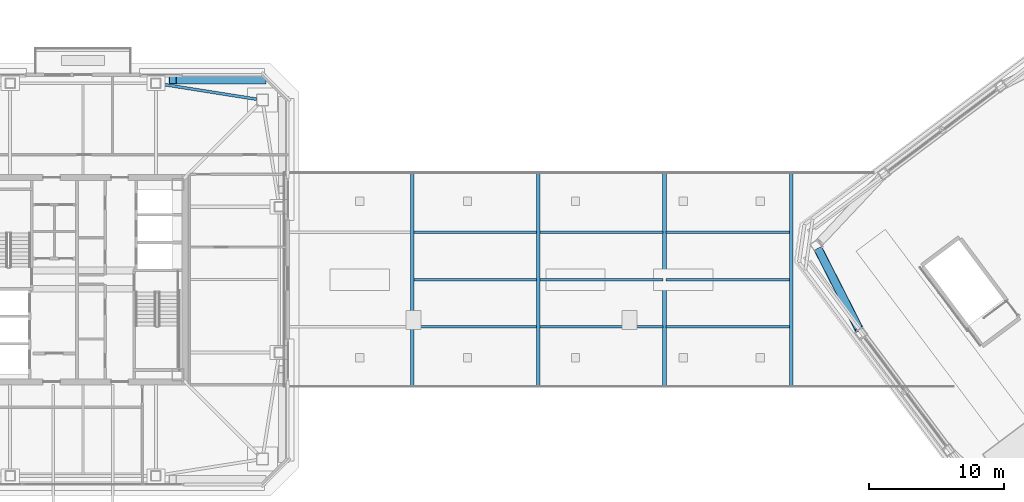
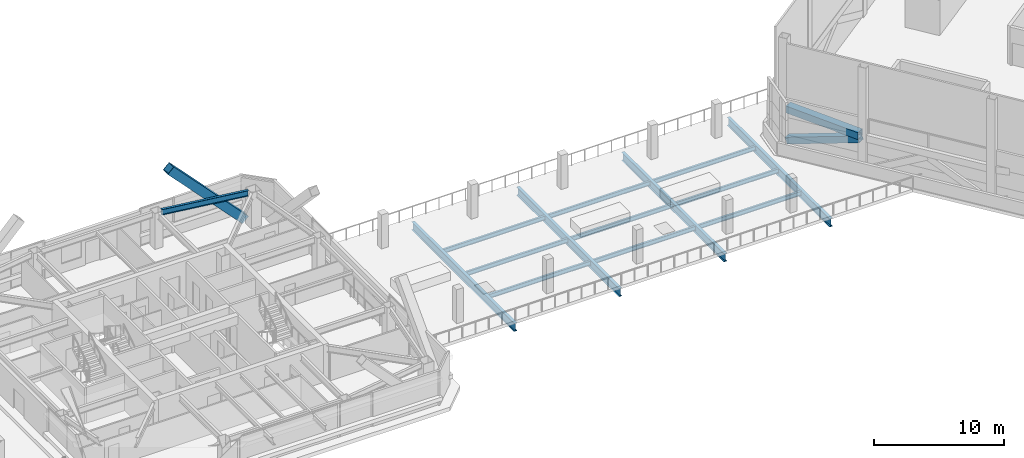
# One storey, part 15 of 37: 15 beams, 2 members.
"""IFC4 building model written with IfcOpenShell, lengths in metres."""

from ifc_helpers import new_model, si_unit, direction, frame, origin, origin_2d, place, context, subcontext, project, spatial, hollow_rectangle, i_section, extrude, material, material_profile, profile_set, type_object, element, save


model = new_model("IFC4")

# Units and contexts
model_context = context("Model", 3, precision=1e-05, world=origin(), true_north=direction((0.0, 1.0)))
body_context = subcontext(model_context, "Body", "Model", "MODEL_VIEW")
ifc_project = project(units=[si_unit("LENGTHUNIT", "METRE"), si_unit("AREAUNIT", "SQUARE_METRE"), si_unit("VOLUMEUNIT", "CUBIC_METRE"), si_unit("PLANEANGLEUNIT", "RADIAN"), si_unit("MASSUNIT", "GRAM", prefix="KILO")], contexts=[model_context])

# Site, building, storey
site_placement = place(None, origin())
site = spatial("IfcSite", under=ifc_project, at=site_placement, CompositionType="ELEMENT")
building_placement = place(site_placement, origin())
building = spatial("IfcBuilding", under=site, at=building_placement, Name="Tashvorn Skyway Center", CompositionType="ELEMENT")
storey_placement = place(building_placement, frame((0.0, 0.0, 263.39990234375)))
storey = spatial("IfcBuildingStorey", under=building, at=storey_placement, Name="L71", CompositionType="ELEMENT", Elevation=263.39990234375)

# Beams
ifc_material_1 = material(Name="Steel ASTM A572 Grade 50", Category="steel")
ifc_material_profile_1 = material_profile(ifc_material_1, hollow_rectangle(XDim=0.64990234375, YDim=0.64990234375, WallThickness=0.02490234375, at=origin_2d()), Name="BOX650x650x25")
ifc_profile_set_1 = profile_set([ifc_material_profile_1], Name="Steel ASTM A572 Grade 50")
beam_type_1 = type_object("IfcBeamType", Name="BM-BEAM-BOX650x650x25", PredefinedType="BEAM", material=ifc_profile_set_1)
beam_1_placement = place(storey_placement, frame((96.516845703125, 34.212646484375, 3.316650390625), z_axis=(0.454297683235, -0.890849939668, 0.0), x_axis=(0.890849939668, 0.454297683235, 0.0)))
element("IfcBeam", 1, at=beam_1_placement, inside=storey, type_object=beam_type_1, Name="CROWN FRAME Tower 2 Lower-Tier Ring Beam 10", PredefinedType="BEAM", context=body_context, shape_type="SweptSolid", body=[
    extrude(hollow_rectangle(XDim=0.64990234375, YDim=0.64990234375, WallThickness=0.02490234375, at=origin_2d()), origin(), (0.0, 0.0, 1.0), 6.61767578125),
])
ifc_material_2 = material(Name="Steel ASTM A992 Grade 50", Category="steel")
ifc_material_profile_2 = material_profile(ifc_material_2, i_section(OverallWidth=0.26708984375, OverallDepth=0.779052734375, WebThickness=0.0166015625, FlangeThickness=0.030029296875, at=origin_2d()), Name="W30X148")
ifc_profile_set_2 = profile_set([ifc_material_profile_2], Name="Steel ASTM A992 Grade 50")
beam_type_2 = type_object("IfcBeamType", Name="BM-BEAM-W30X148", PredefinedType="BEAM", material=ifc_profile_set_2)
for number, where, z_axis, x_axis, name in (
    (2, (66.39990234375, 24.10009765625, -0.689453125), (0.0, 1.0, 0.0), (-1.0, 0.0, 0.0), "Sky-Park L71 Transverse Floor Beam 07"),
    (3, (75.75, 24.10009765625, -0.689453125), (0.0, 1.0, 0.0), (-1.0, 0.0, 0.0), "Sky-Park L71 Transverse Floor Beam 08"),
    (4, (85.10009765625, 24.10009765625, -0.689453125), (0.0, 1.0, 0.0), (-1.0, 0.0, 0.0), "Sky-Park L71 Transverse Floor Beam 09"),
    (5, (94.5, 24.10009765625, -0.689453125), (0.0, 1.0, 0.0), (-1.0, 0.0, 0.0), "Sky-Park L71 Transverse Floor Beam 10"),
):
    element("IfcBeam", number, at=place(storey_placement, frame(where, z_axis=z_axis, x_axis=x_axis)), inside=storey, type_object=beam_type_2, Name=name, PredefinedType="BEAM", context=body_context, shape_type="SweptSolid", body=[
        extrude(i_section(OverallWidth=0.26708984375, OverallDepth=0.779052734375, WebThickness=0.0166015625, FlangeThickness=0.030029296875, at=origin_2d()), origin(), (0.0, 0.0, 1.0), 15.7998046875),
    ])
ifc_material_profile_3 = material_profile(ifc_material_2, i_section(OverallWidth=0.177978515625, OverallDepth=0.406005859375, WebThickness=0.0078125, FlangeThickness=0.0126953125, at=origin_2d()), Name="W16X40")
ifc_profile_set_3 = profile_set([ifc_material_profile_3], Name="Steel ASTM A992 Grade 50")
beam_type_3 = type_object("IfcBeamType", Name="BM-JOIST-W16X40", PredefinedType="JOIST", material=ifc_profile_set_3)
for number, where, z_axis, x_axis, name in (
    (6, (66.525390625, 28.5, -0.5029296875), (1.0, 0.0, 0.0), (0.0, 1.0, 0.0), "Sky-Park L71 Longitudinal Joist 07-1"),
    (7, (66.525390625, 32.0, -0.5029296875), (1.0, 0.0, 0.0), (0.0, 1.0, 0.0), "Sky-Park L71 Longitudinal Joist 07-2"),
    (8, (66.525390625, 35.5, -0.5029296875), (1.0, 0.0, 0.0), (0.0, 1.0, 0.0), "Sky-Park L71 Longitudinal Joist 07-3"),
    (9, (75.87548828125, 28.5, -0.5029296875), (1.0, 0.0, 0.0), (0.0, 1.0, 0.0), "Sky-Park L71 Longitudinal Joist 08-1"),
    (10, (75.87548828125, 32.0, -0.5029296875), (1.0, 0.0, 0.0), (0.0, 1.0, 0.0), "Sky-Park L71 Longitudinal Joist 08-2"),
    (11, (75.87548828125, 35.5, -0.5029296875), (1.0, 0.0, 0.0), (0.0, 1.0, 0.0), "Sky-Park L71 Longitudinal Joist 08-3"),
):
    element("IfcBeam", number, at=place(storey_placement, frame(where, z_axis=z_axis, x_axis=x_axis)), inside=storey, type_object=beam_type_3, Name=name, PredefinedType="JOIST", context=body_context, shape_type="SweptSolid", body=[
        extrude(i_section(OverallWidth=0.177978515625, OverallDepth=0.406005859375, WebThickness=0.0078125, FlangeThickness=0.0126953125, at=origin_2d()), origin(), (0.0, 0.0, 1.0), 9.09912109375),
    ])
for number, where, z_axis, x_axis, name in (
    (12, (85.2255859375, 28.5, -0.5029296875), (1.0, 0.0, 0.0), (0.0, 1.0, 0.0), "Sky-Park L71 Longitudinal Joist 09-1"),
    (13, (85.2255859375, 32.0, -0.5029296875), (1.0, 0.0, 0.0), (0.0, 1.0, 0.0), "Sky-Park L71 Longitudinal Joist 09-2"),
    (14, (85.2255859375, 35.5, -0.5029296875), (1.0, 0.0, 0.0), (0.0, 1.0, 0.0), "Sky-Park L71 Longitudinal Joist 09-3"),
):
    element("IfcBeam", number, at=place(storey_placement, frame(where, z_axis=z_axis, x_axis=x_axis)), inside=storey, type_object=beam_type_3, Name=name, PredefinedType="JOIST", context=body_context, shape_type="SweptSolid", body=[
        extrude(i_section(OverallWidth=0.177978515625, OverallDepth=0.406005859375, WebThickness=0.0078125, FlangeThickness=0.0126953125, at=origin_2d()), origin(), (0.0, 0.0, 1.0), 9.14892578125),
    ])
ifc_material_profile_4 = material_profile(ifc_material_2, i_section(OverallWidth=0.2109375, OverallDepth=0.5390625, WebThickness=0.01171875, FlangeThickness=0.018798828125, at=origin_2d()), Name="W21X73")
ifc_profile_set_4 = profile_set([ifc_material_profile_4], Name="Steel ASTM A992 Grade 50")
beam_type_4 = type_object("IfcBeamType", Name="BM-SPANDREL-W21X73", PredefinedType="SPANDREL", material=ifc_profile_set_4)
beam_2_placement = place(storey_placement, frame((54.8603515625, 45.36962890625, 3.1005859375), z_axis=(-0.987713587978, 0.156274976, 0.0), x_axis=(-0.156274976, -0.987713587978, 0.0)))
element("IfcBeam", 15, at=beam_2_placement, inside=storey, type_object=beam_type_4, Name="Tower 1 L71 Spandrel Beam 07", PredefinedType="SPANDREL", context=body_context, shape_type="SweptSolid", body=[
    extrude(i_section(OverallWidth=0.2109375, OverallDepth=0.5390625, WebThickness=0.01171875, FlangeThickness=0.018798828125, at=origin_2d()), origin(), (0.0, 0.0, 1.0), 7.18310546875),
])

# Members
ifc_material_profile_5 = material_profile(ifc_material_1, hollow_rectangle(XDim=0.60009765625, YDim=0.60009765625, WallThickness=0.02490234375, at=origin_2d()), Name="BOX600x600x25")
ifc_profile_set_5 = profile_set([ifc_material_profile_5], Name="Steel ASTM A572 Grade 50")
member_type_1 = type_object("IfcMemberType", Name="MEM-CF-BRC-600", PredefinedType="BRACE", material=ifc_profile_set_5)
member_1_placement = place(storey_placement, frame((96.516845703125, 34.212646484375, 0.35009765625), z_axis=(0.421811409985, -0.827146346996, 0.371354352416), x_axis=(0.890849939668, 0.454297683235, 0.0)))
element("IfcMember", 16, at=member_1_placement, inside=storey, type_object=member_type_1, Name="CROWN FRAME Tower 2 Lower Portal Brace 10", PredefinedType="BRACE", context=body_context, shape_type="SweptSolid", body=[
    extrude(hollow_rectangle(XDim=0.60009765625, YDim=0.60009765625, WallThickness=0.02490234375, at=origin_2d()), origin(), (0.0, 0.0, 1.0), 7.127197265625),
])
ifc_material_profile_6 = material_profile(ifc_material_1, hollow_rectangle(XDim=0.75, YDim=0.75, WallThickness=0.031982421875, at=origin_2d()), Name="BOX750x750x32")
ifc_profile_set_6 = profile_set([ifc_material_profile_6], Name="Steel ASTM A572 Grade 50")
member_type_2 = type_object("IfcMemberType", Name="MEM-MB-750", PredefinedType="BRACE", material=ifc_profile_set_6)
member_2_placement = place(storey_placement, frame((55.300048828125, 46.8798828125, -0.31982421875), z_axis=(-0.690312384492, 0.0, 0.723511445533), x_axis=(0.0, -1.0, 0.0)))
element("IfcMember", 17, at=member_2_placement, inside=storey, type_object=member_type_2, Name="Tower 1 Zone 7 N Chevron Mega-Brace L1", PredefinedType="BRACE", context=body_context, shape_type="SweptSolid", body=[
    extrude(hollow_rectangle(XDim=0.75, YDim=0.75, WallThickness=0.031982421875, at=origin_2d()), origin(), (0.0, 0.0, 1.0), 9.633544921875),
])

save(model, "model.ifc")
